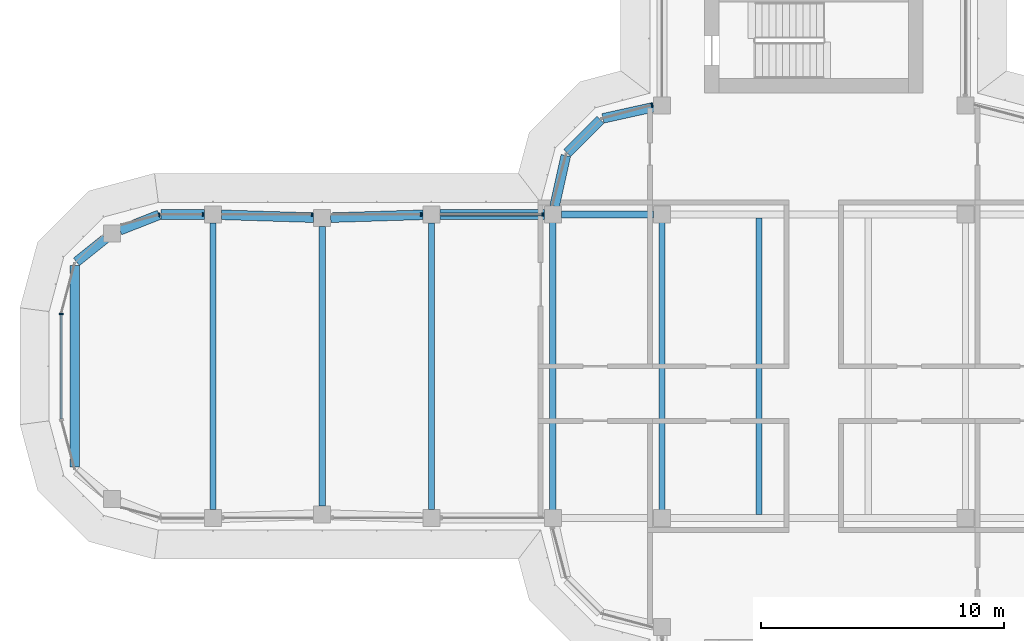
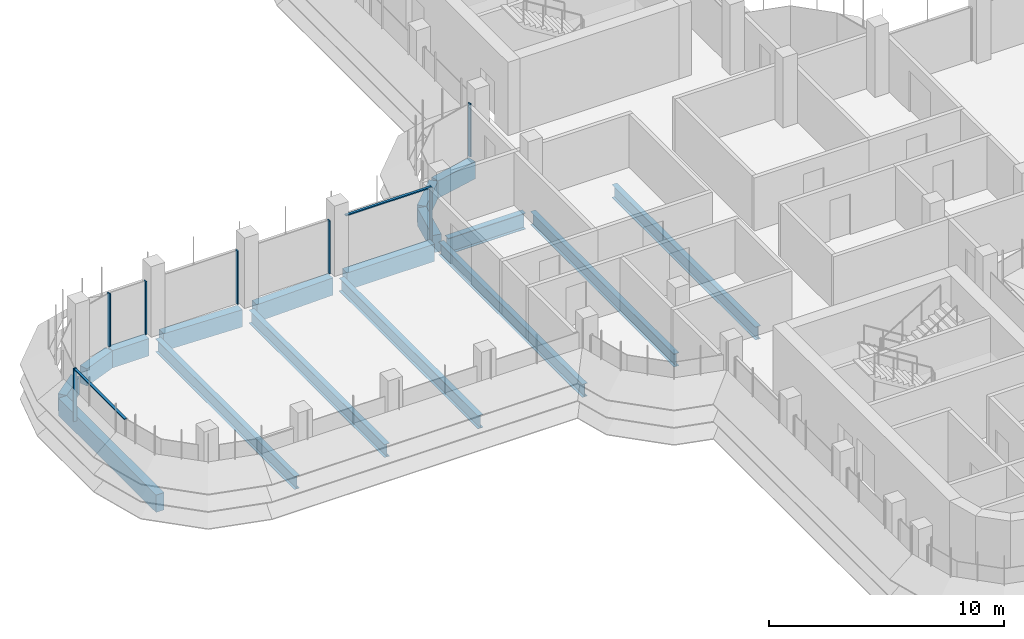
# One storey, part 6 of 19: 17 beams, 9 members, 4 elements without a shape of their own.
"""IFC4 building model written with IfcOpenShell, lengths in metres."""

from ifc_helpers import new_model, si_unit, direction, frame, origin, origin_2d, place, context, subcontext, project, spatial, polyline, rectangle, i_section, outline, extrude, source, transform, mapped, material, material_profile, profile_set, type_object, element, aggregate, save


model = new_model("IFC4")

# Units and contexts
model_context = context("Model", 3, precision=1e-05, world=origin(), true_north=direction((0.0, 1.0)))
body_context = subcontext(model_context, "Body", "Model", "MODEL_VIEW")
ifc_project = project(units=[si_unit("LENGTHUNIT", "METRE"), si_unit("AREAUNIT", "SQUARE_METRE"), si_unit("VOLUMEUNIT", "CUBIC_METRE"), si_unit("PLANEANGLEUNIT", "RADIAN"), si_unit("MASSUNIT", "GRAM", prefix="KILO")], contexts=[model_context])

# Site, building, storey
site_placement = place(None, origin())
site = spatial("IfcSite", under=ifc_project, at=site_placement, CompositionType="ELEMENT")
building_placement = place(site_placement, origin())
building = spatial("IfcBuilding", under=site, at=building_placement, Name="Zarbagh Exchange Tower", CompositionType="ELEMENT")
storey_placement = place(building_placement, frame((0.0, 0.0, 218.199951171875)))
storey = spatial("IfcBuildingStorey", under=building, at=storey_placement, Name="L53", CompositionType="ELEMENT", Elevation=218.199951171875)

# Beams
ifc_material_1 = material(Name="Steel ASTM A992 Gr 50", Category="steel")
ifc_material_profile_1 = material_profile(ifc_material_1, i_section(OverallWidth=0.25390625, OverallDepth=0.67822265625, WebThickness=0.01171875, FlangeThickness=0.016357421875, at=origin_2d()), Name="W27X84")
ifc_profile_set_1 = profile_set([ifc_material_profile_1], Name="Steel ASTM A992 Gr 50")
beam_type_1 = type_object("IfcBeamType", Name="Floor beam W27X84", PredefinedType="BEAM", material=ifc_profile_set_1)
for number, where, z_axis, x_axis, name in (
    (1, (-10.75, -6.10400390625, -0.489013671875), (0.0, 1.0, 0.0), (-1.0, 0.0, 0.0), "Steel floor beam"),
    (2, (-6.25, -6.10400390625, -0.489013671875), (0.0, 1.0, 0.0), (-1.0, 0.0, 0.0), "Steel floor beam"),
    (3, (-2.25, -6.10400390625, -0.489013671875), (0.0, 1.0, 0.0), (-1.0, 0.0, 0.0), "Steel floor beam"),
):
    element("IfcBeam", number, at=place(storey_placement, frame(where, z_axis=z_axis, x_axis=x_axis)), inside=storey, type_object=beam_type_1, Name=name, PredefinedType="BEAM", context=body_context, shape_type="SweptSolid", body=[
        extrude(i_section(OverallWidth=0.25390625, OverallDepth=0.67822265625, WebThickness=0.01171875, FlangeThickness=0.016357421875, at=origin_2d()), origin(), (0.0, 0.0, 1.0), 12.2080078125),
    ])
beam_1_placement = place(storey_placement, frame((-15.75, -5.89990234375, -0.489013671875), z_axis=(0.0, 1.0, 0.0), x_axis=(-1.0, 0.0, 0.0)))
element("IfcBeam", 4, at=beam_1_placement, inside=storey, type_object=beam_type_1, Name="Steel floor beam", PredefinedType="BEAM", context=body_context, shape_type="SweptSolid", body=[
    extrude(i_section(OverallWidth=0.25390625, OverallDepth=0.67822265625, WebThickness=0.01171875, FlangeThickness=0.016357421875, at=origin_2d()), origin(), (0.0, 0.0, 1.0), 11.7998046875),
])
beam_2_placement = place(storey_placement, frame((-20.25, -5.760009765625, -0.489013671875), z_axis=(0.0, 1.0, 0.0), x_axis=(-1.0, 0.0, 0.0)))
element("IfcBeam", 5, at=beam_2_placement, inside=storey, type_object=beam_type_1, Name="Steel floor beam", PredefinedType="BEAM", context=body_context, shape_type="SweptSolid", body=[
    extrude(i_section(OverallWidth=0.25390625, OverallDepth=0.67822265625, WebThickness=0.01171875, FlangeThickness=0.016357421875, at=origin_2d()), origin(), (0.0, 0.0, 1.0), 11.52001953125),
])
beam_3_placement = place(storey_placement, frame((-24.75, -5.89990234375, -0.489013671875), z_axis=(0.0, 1.0, 0.0), x_axis=(-1.0, 0.0, 0.0)))
element("IfcBeam", 6, at=beam_3_placement, inside=storey, type_object=beam_type_1, Name="Steel floor beam", PredefinedType="BEAM", context=body_context, shape_type="SweptSolid", body=[
    extrude(i_section(OverallWidth=0.25390625, OverallDepth=0.67822265625, WebThickness=0.01171875, FlangeThickness=0.016357421875, at=origin_2d()), origin(), (0.0, 0.0, 1.0), 11.7998046875),
])
ifc_material_profile_2 = material_profile(ifc_material_1, i_section(OverallWidth=0.2919921875, OverallDepth=0.835693359375, WebThickness=0.013916015625, FlangeThickness=0.018798828125, at=origin_2d()), Name="W33X118")
ifc_profile_set_2 = profile_set([ifc_material_profile_2], Name="Steel ASTM A992 Gr 50")
beam_type_2 = type_object("IfcBeamType", Name="Floor girder W33X118", PredefinedType="BEAM", material=ifc_profile_set_2)
beam_4_placement = place(storey_placement, frame((-10.39990234375, 6.25, -0.56787109375), z_axis=(1.0, 0.0, 0.0), x_axis=(0.0, 1.0, 0.0)))
element("IfcBeam", 7, at=beam_4_placement, inside=storey, type_object=beam_type_2, Name="Steel girder", PredefinedType="BEAM", context=body_context, shape_type="SweptSolid", body=[
    extrude(i_section(OverallWidth=0.2919921875, OverallDepth=0.835693359375, WebThickness=0.013916015625, FlangeThickness=0.018798828125, at=origin_2d()), origin(), (0.0, 0.0, 1.0), 3.7998046875),
])
ifc_material_2 = material(Name="Concrete C50/60", Category="concrete")
ifc_material_profile_3 = material_profile(ifc_material_2, rectangle(XDim=0.39990234375, YDim=0.89990234375, at=origin_2d()), Name="RC spandrel beam 400 x 900 C50/60")
ifc_profile_set_3 = profile_set([ifc_material_profile_3], Name="Concrete C50/60")
beam_type_3 = type_object("IfcBeamType", Name="RC spandrel beam 400 x 900 C50/60", PredefinedType="SPANDREL", material=ifc_profile_set_3)
beam_5_placement = place(storey_placement, frame((-30.44873046875, -4.14501953125, -0.599853515625), z_axis=(0.0, 1.0, 0.0), x_axis=(-1.0, 0.0, 0.0)))
element("IfcBeam", 8, at=beam_5_placement, inside=storey, type_object=beam_type_3, Name="RC spandrel beam", PredefinedType="SPANDREL", context=body_context, shape_type="SweptSolid", body=[
    extrude(rectangle(XDim=0.39990234375, YDim=0.89990234375, at=origin_2d()), origin(), (0.0, 0.0, 1.0), 8.2900390625),
])
beam_6_placement = place(storey_placement, frame((-30.373779296875, 4.30126953125, -0.599853515625), z_axis=(0.780634897504, 0.62498732531, 0.0), x_axis=(-0.62498732531, 0.780634897504, 0.0)))
element("IfcBeam", 9, at=beam_6_placement, inside=storey, type_object=beam_type_3, Name="RC spandrel beam", PredefinedType="SPANDREL", context=body_context, shape_type="SweptSolid", body=[
    extrude(rectangle(XDim=0.39990234375, YDim=0.89990234375, at=origin_2d()), origin(), (0.0, 0.0, 1.0), 1.52783203125),
])
beam_7_placement = place(storey_placement, frame((-28.582275390625, 5.602783203125, -0.599853515625), z_axis=(0.930809711446, 0.365504146457, 0.0), x_axis=(-0.365504146457, 0.930809711446, 0.0)))
element("IfcBeam", 10, at=beam_7_placement, inside=storey, type_object=beam_type_3, Name="RC spandrel beam", PredefinedType="SPANDREL", context=body_context, shape_type="SweptSolid", body=[
    extrude(rectangle(XDim=0.39990234375, YDim=0.89990234375, at=origin_2d()), origin(), (0.0, 0.0, 1.0), 1.732666015625),
])
beam_8_placement = place(storey_placement, frame((-26.896240234375, 6.25, -0.599853515625), z_axis=(1.0, 0.0, 0.0), x_axis=(0.0, 1.0, 0.0)))
element("IfcBeam", 11, at=beam_8_placement, inside=storey, type_object=beam_type_3, Name="RC spandrel beam", PredefinedType="SPANDREL", context=body_context, shape_type="SweptSolid", body=[
    extrude(rectangle(XDim=0.39990234375, YDim=0.89990234375, at=origin_2d()), origin(), (0.0, 0.0, 1.0), 1.796142578125),
])
for number, where, z_axis, x_axis, name in (
    (12, (-24.400146484375, 6.239013671875, -0.599853515625), (0.999516950199, -0.031078389046, 0.0), (0.031078389046, 0.999516950199, 0.0), "RC spandrel beam"),
    (13, (-19.900146484375, 6.120849609375, -0.599853515625), (0.999516950199, 0.031078389046, 0.0), (-0.031078389046, 0.999516950199, 0.0), "RC spandrel beam"),
):
    element("IfcBeam", number, at=place(storey_placement, frame(where, z_axis=z_axis, x_axis=x_axis)), inside=storey, type_object=beam_type_3, Name=name, PredefinedType="SPANDREL", context=body_context, shape_type="SweptSolid", body=[
        extrude(rectangle(XDim=0.39990234375, YDim=0.89990234375, at=origin_2d()), origin(), (0.0, 0.0, 1.0), 3.80224609375),
    ])
beam_9_placement = place(storey_placement, frame((-15.39990234375, 6.25, -0.599853515625), z_axis=(1.0, 0.0, 0.0), x_axis=(0.0, 1.0, 0.0)))
element("IfcBeam", 14, at=beam_9_placement, inside=storey, type_object=beam_type_3, Name="RC spandrel beam", PredefinedType="SPANDREL", context=body_context, shape_type="SweptSolid", body=[
    extrude(rectangle(XDim=0.39990234375, YDim=0.89990234375, at=origin_2d()), origin(), (0.0, 0.0, 1.0), 4.2998046875),
])
beam_10_placement = place(storey_placement, frame((-10.67431640625, 6.591796875, -0.599853515625), z_axis=(0.216013551096, 0.97639036545, 0.0), x_axis=(-0.97639036545, 0.216013551096, 0.0)))
element("IfcBeam", 15, at=beam_10_placement, inside=storey, type_object=beam_type_3, Name="RC spandrel beam", PredefinedType="SPANDREL", context=body_context, shape_type="SweptSolid", body=[
    extrude(rectangle(XDim=0.39990234375, YDim=0.89990234375, at=origin_2d()), origin(), (0.0, 0.0, 1.0), 2.142822265625),
])
beam_11_placement = place(storey_placement, frame((-10.15771484375, 8.782470703125, -0.599853515625), z_axis=(0.707106781187, 0.707106781187, 0.0), x_axis=(-0.707106781187, 0.707106781187, 0.0)))
element("IfcBeam", 16, at=beam_11_placement, inside=storey, type_object=beam_type_3, Name="RC spandrel beam", PredefinedType="SPANDREL", context=body_context, shape_type="SweptSolid", body=[
    extrude(rectangle(XDim=0.39990234375, YDim=0.89990234375, at=origin_2d()), origin(), (0.0, 0.0, 1.0), 1.94482421875),
])
beam_12_placement = place(storey_placement, frame((-8.68408203125, 10.21142578125, -0.599853515625), z_axis=(0.97639036545, 0.216013551096, 0.0), x_axis=(-0.216013551096, 0.97639036545, 0.0)))
element("IfcBeam", 17, at=beam_12_placement, inside=storey, type_object=beam_type_3, Name="RC spandrel beam", PredefinedType="SPANDREL", context=body_context, shape_type="SweptSolid", body=[
    extrude(rectangle(XDim=0.39990234375, YDim=0.89990234375, at=origin_2d()), origin(), (0.0, 0.0, 1.0), 2.142822265625),
])

# Curtain wall, member
ifc_material_3 = material(Name="Anodised aluminium frame and glazing", Category="aluminium")
curtain_wall_type = type_object("IfcCurtainWallType", Name="CWB Ribbon glazing, upper zones", PredefinedType="NOTDEFINED", material=ifc_material_3)
curtain_wall_1_placement = place(storey_placement, origin())
curtain_wall_1 = element("IfcCurtainWall", 18, at=curtain_wall_1_placement, inside=storey, type_object=curtain_wall_type, Name="CWB29 curtain wall", PredefinedType="NOTDEFINED")
ifc_material_4 = material(Name="Anodised aluminium frame", Category="aluminium")
member_type_1 = type_object("IfcMemberType", Name="MUB Mullion, anodised aluminium frame", PredefinedType="MULLION", material=ifc_material_4)
shared_shape_1 = source(origin(), body_context, "Body", "SweptSolid", [
    extrude(outline(polyline([(0.0, -0.080078125), (0.06005859375, -0.080078125), (0.06005859375, 0.080078125), (0.0, 0.080078125), (0.0, -0.080078125)])), origin(), (0.0, 0.0, 1.0), 2.75),
])
placement = place(storey_placement, origin())
member_1 = element("IfcMember", 19, at=placement, type_object=member_type_1, Name="CWB29 mullion 1.1", PredefinedType="MULLION", context=body_context, shape_type="MappedRepresentation", body=[
    mapped(shared_shape_1, transform((-6.64013671875, 10.76171875, 0.0), x_axis=(-0.965924289636, -0.258824779902, 0.0), y_axis=(0.258824779902, -0.965924289636, 0.0), z_axis=(0.0, 0.0, 1.0))),
])
aggregate(curtain_wall_1, [member_1])

# Curtain wall, members
curtain_wall_2_placement = place(storey_placement, origin())
curtain_wall_2 = element("IfcCurtainWall", 20, at=curtain_wall_2_placement, inside=storey, type_object=curtain_wall_type, Name="CWB58 curtain wall", PredefinedType="NOTDEFINED")
member_2 = element("IfcMember", 21, at=placement, type_object=member_type_1, Name="CWB58 mullion 1.1", PredefinedType="MULLION", context=body_context, shape_type="MappedRepresentation", body=[
    mapped(shared_shape_1, transform((-11.14013671875, 6.25, 0.0), x_axis=(-1.0, 0.0, 0.0), y_axis=(0.0, -1.0, 0.0), z_axis=(0.0, 0.0, 1.0))),
])
member_3 = element("IfcMember", 22, at=placement, type_object=member_type_1, Name="CWB58 mullion 2.1", PredefinedType="MULLION", context=body_context, shape_type="MappedRepresentation", body=[
    mapped(shared_shape_1, transform((-16.14013671875, 6.25, 0.0), x_axis=(-1.0, 0.0, 0.0), y_axis=(0.0, -1.0, 0.0), z_axis=(0.0, 0.0, 1.0))),
])
member_4 = element("IfcMember", 23, at=placement, type_object=member_type_1, Name="CWB58 mullion 3.1", PredefinedType="MULLION", context=body_context, shape_type="MappedRepresentation", body=[
    mapped(shared_shape_1, transform((-20.64013671875, 6.25, 0.0), x_axis=(-1.0, 0.0, 0.0), y_axis=(0.0, -1.0, 0.0), z_axis=(0.0, 0.0, 1.0))),
])
member_5 = element("IfcMember", 24, at=placement, type_object=member_type_1, Name="CWB58 mullion 4.1", PredefinedType="MULLION", context=body_context, shape_type="MappedRepresentation", body=[
    mapped(shared_shape_1, transform((-25.14013671875, 6.25, 0.0), x_axis=(-1.0, 0.0, 0.0), y_axis=(0.0, -1.0, 0.0), z_axis=(0.0, 0.0, 1.0))),
])

# Curtain wall, member
curtain_wall_3_placement = place(storey_placement, origin())
curtain_wall_3 = element("IfcCurtainWall", 25, at=curtain_wall_3_placement, inside=storey, type_object=curtain_wall_type, Name="CWB59 curtain wall", PredefinedType="NOTDEFINED")
member_6 = element("IfcMember", 26, at=placement, type_object=member_type_1, Name="CWB59 mullion 1.1", PredefinedType="MULLION", context=body_context, shape_type="MappedRepresentation", body=[
    mapped(shared_shape_1, transform((-26.93408203125, 6.25, 0.0), x_axis=(-0.965924289636, -0.258824779902, 0.0), y_axis=(0.258824779902, -0.965924289636, 0.0), z_axis=(0.0, 0.0, 1.0))),
])
aggregate(curtain_wall_3, [member_6])

# Curtain wall, members
curtain_wall_4_placement = place(storey_placement, origin())
curtain_wall_4 = element("IfcCurtainWall", 27, at=curtain_wall_4_placement, inside=storey, type_object=curtain_wall_type, Name="CWB66 curtain wall", PredefinedType="NOTDEFINED")
member_7 = element("IfcMember", 28, at=placement, type_object=member_type_1, Name="CWB66 mullion 1.1", PredefinedType="MULLION", context=body_context, shape_type="MappedRepresentation", body=[
    mapped(shared_shape_1, transform((-31.0, 2.18408203125, 0.0), x_axis=(0.0, -1.0, 0.0), y_axis=(1.0, 0.0, 0.0), z_axis=(0.0, 0.0, 1.0))),
])
member_type_2 = type_object("IfcMemberType", Name="TRB Transom, anodised aluminium frame", PredefinedType="USERDEFINED", material=ifc_material_4)
shared_shape_2 = source(origin(), body_context, "Body", "SweptSolid", [
    extrude(outline(polyline([(-0.06005859375, -0.06005859375), (0.0, -0.06005859375), (0.0, 0.06005859375), (-0.06005859375, 0.06005859375), (-0.06005859375, -0.06005859375)])), origin(), (0.0, 0.0, 1.0), 4.308349609375),
])
member_8 = element("IfcMember", 29, at=placement, type_object=member_type_2, Name="CWB66 transom 1.1", ObjectType="TRANSOM", PredefinedType="USERDEFINED", context=body_context, shape_type="MappedRepresentation", body=[
    mapped(shared_shape_2, transform((-31.0, 2.124267578125, 2.75), x_axis=(0.0, 0.0, 1.0), y_axis=(-1.0, 0.0, 0.0), z_axis=(0.0, -1.0, 0.0))),
])
aggregate(curtain_wall_4, [member_7, member_8])

# Member
shared_shape_3 = source(origin(), body_context, "Body", "SweptSolid", [
    extrude(outline(polyline([(-0.06005859375, -0.06005859375), (0.0, -0.06005859375), (0.0, 0.06005859375), (-0.06005859375, 0.06005859375), (-0.06005859375, -0.06005859375)])), origin(), (0.0, 0.0, 1.0), 4.159912109375),
])
member_9 = element("IfcMember", 30, at=placement, type_object=member_type_2, Name="CWB58 transom 1.1", ObjectType="TRANSOM", PredefinedType="USERDEFINED", context=body_context, shape_type="MappedRepresentation", body=[
    mapped(shared_shape_3, transform((-11.199951171875, 6.25, 2.75), x_axis=(0.0, 0.0, 1.0), y_axis=(0.0, 1.0, 0.0), z_axis=(-1.0, 0.0, 0.0))),
])

aggregate(curtain_wall_2, [member_2, member_9, member_3, member_4, member_5])

save(model, "model.ifc")
